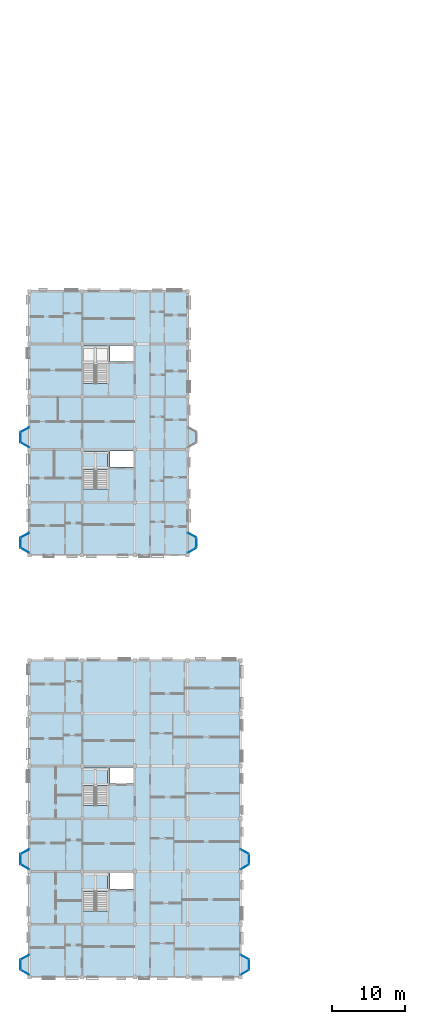
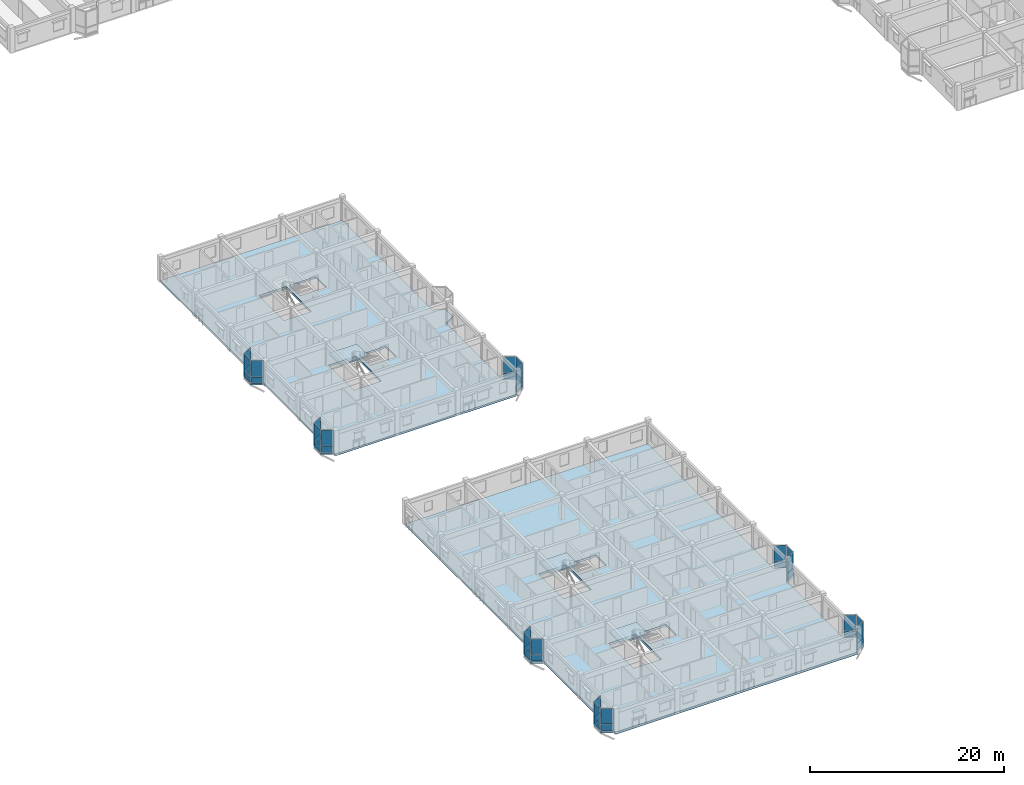
# One storey, part 46 of 79: 42 plates, 5 slabs, 24 elements without a shape of their own.
"""IFC4 building model written with IfcOpenShell, lengths in metres."""

from ifc_helpers import new_model, si_unit, direction, frame, origin, origin_2d, place, context, subcontext, project, spatial, polyline, rectangle, outline, extrude, material, layer, layer_set, type_object, element, aggregate, save


model = new_model("IFC4")

# Units and contexts
model_context = context("Model", 3, precision=1e-05, world=origin(), true_north=direction((0.0, 1.0)))
body_context = subcontext(model_context, "Body", "Model", "MODEL_VIEW")
ifc_project = project(units=[si_unit("LENGTHUNIT", "METRE"), si_unit("AREAUNIT", "SQUARE_METRE"), si_unit("VOLUMEUNIT", "CUBIC_METRE"), si_unit("PLANEANGLEUNIT", "RADIAN"), si_unit("MASSUNIT", "GRAM", prefix="KILO"), si_unit("THERMODYNAMICTEMPERATUREUNIT", "KELVIN"), si_unit("POWERUNIT", "WATT")], contexts=[model_context])

# Site, building, storey
site_placement = place(None, origin())
site = spatial("IfcSite", under=ifc_project, at=site_placement, CompositionType="ELEMENT")
building_placement = place(site_placement, origin())
building = spatial("IfcBuilding", under=site, at=building_placement, Name="Tavuni Mirador Residences", CompositionType="ELEMENT")
storey_placement = place(building_placement, frame((0.0, 0.0, 13.949951171875)))
storey = spatial("IfcBuildingStorey", under=building, at=storey_placement, Name="L04", CompositionType="ELEMENT", Elevation=13.949951171875)

# Curtain wall, plate
ifc_material_1 = material(Name="Anodised aluminium", Category="aluminium")
ifc_layer_1 = layer(ifc_material_1, 0.1650390625, Name="Anodised aluminium", Category="aluminium")
ifc_layer_set_1 = layer_set([ifc_layer_1], Name="Anodised aluminium")
curtain_wall_type_1 = type_object("IfcCurtainWallType", Name="CWT-MIR-A", PredefinedType="NOTDEFINED", material=ifc_layer_set_1)
curtain_wall_1_placement = place(storey_placement, origin())
curtain_wall_1 = element("IfcCurtainWall", 1, at=curtain_wall_1_placement, inside=storey, type_object=curtain_wall_type_1, Name="CW-MIR-A-E2-L04-M1", PredefinedType="NOTDEFINED")
ifc_material_2 = material(Name="Laminated solar-control glass", Category="glass")
ifc_layer_2 = layer(ifc_material_2, 0.02392578125, Name="Laminated solar-control glass", Category="glass")
ifc_layer_set_2 = layer_set([ifc_layer_2], Name="Laminated solar-control glass")
plate_type_1 = type_object("IfcPlateType", Name="CWP-GL24", PredefinedType="CURTAIN_PANEL", material=ifc_layer_set_2)
plate_1_placement = place(storey_placement, frame((33.0, 22.217529296875, 0.8798828125), z_axis=(0.0, 0.0, 1.0), x_axis=(0.868465738194, 0.495749192217, 0.0)))
plate_1 = element("IfcPlate", 2, at=plate_1_placement, type_object=plate_type_1, Name="CW-01 panel 1.2", PredefinedType="CURTAIN_PANEL", context=body_context, shape_type="SweptSolid", body=[
    extrude(rectangle(XDim=1.26171875, YDim=0.02392578125, at=origin_2d()), origin(), (0.0, 0.0, 1.0), 1.929931640625),
])

curtain_wall_2_placement = place(storey_placement, origin())
curtain_wall_2 = element("IfcCurtainWall", 3, at=curtain_wall_2_placement, inside=storey, type_object=curtain_wall_type_1, Name="CW-MIR-A-W2-L04-MF", PredefinedType="NOTDEFINED")
plate_2_placement = place(storey_placement, frame((2.39990234375, 23.27001953125, 0.8798828125), z_axis=(0.0, 0.0, 1.0), x_axis=(0.0, -1.0, 0.0)))
plate_2 = element("IfcPlate", 4, at=plate_2_placement, type_object=plate_type_1, Name="CW-01 panel 1.2", PredefinedType="CURTAIN_PANEL", context=body_context, shape_type="SweptSolid", body=[
    extrude(rectangle(XDim=1.300048828125, YDim=0.02392578125, at=origin_2d()), origin(), (0.0, 0.0, 1.0), 1.929931640625),
])

curtain_wall_3_placement = place(storey_placement, origin())
curtain_wall_3 = element("IfcCurtainWall", 5, at=curtain_wall_3_placement, inside=storey, type_object=curtain_wall_type_1, Name="CW-MIR-A-W1-L04-M2", PredefinedType="NOTDEFINED")
plate_3_placement = place(storey_placement, frame((3.0, 7.8173828125, 0.8798828125), z_axis=(0.0, 0.0, 1.0), x_axis=(0.868465738194, -0.495749192217, 0.0)))
plate_3 = element("IfcPlate", 6, at=plate_3_placement, type_object=plate_type_1, Name="CW-01 panel 1.2", PredefinedType="CURTAIN_PANEL", context=body_context, shape_type="SweptSolid", body=[
    extrude(rectangle(XDim=1.26171875, YDim=0.02392578125, at=origin_2d()), origin(), (0.0, 0.0, 1.0), 1.929931640625),
])

curtain_wall_4_placement = place(storey_placement, origin())
curtain_wall_4 = element("IfcCurtainWall", 7, at=curtain_wall_4_placement, inside=storey, type_object=curtain_wall_type_1, Name="CW-MIR-B-E1-L04-M1", PredefinedType="NOTDEFINED")
plate_4_placement = place(storey_placement, frame((25.800048828125, 65.41748046875, 0.8798828125), z_axis=(0.0, 0.0, 1.0), x_axis=(0.868465738194, 0.495749192217, 0.0)))
plate_4 = element("IfcPlate", 8, at=plate_4_placement, type_object=plate_type_1, Name="CW-01 panel 1.2", PredefinedType="CURTAIN_PANEL", context=body_context, shape_type="SweptSolid", body=[
    extrude(rectangle(XDim=1.26171875, YDim=0.02392578125, at=origin_2d()), origin(), (0.0, 0.0, 1.0), 1.969970703125),
])

curtain_wall_5_placement = place(storey_placement, origin())
curtain_wall_5 = element("IfcCurtainWall", 9, at=curtain_wall_5_placement, inside=storey, type_object=curtain_wall_type_1, Name="CW-MIR-B-W2-L04-M2", PredefinedType="NOTDEFINED")
plate_5_placement = place(storey_placement, frame((3.0, 79.8173828125, 0.8798828125), z_axis=(0.0, 0.0, 1.0), x_axis=(0.868465738194, -0.495749192217, 0.0)))
plate_5 = element("IfcPlate", 10, at=plate_5_placement, type_object=plate_type_1, Name="CW-01 panel 1.2", PredefinedType="CURTAIN_PANEL", context=body_context, shape_type="SweptSolid", body=[
    extrude(rectangle(XDim=1.26171875, YDim=0.02392578125, at=origin_2d()), origin(), (0.0, 0.0, 1.0), 1.969970703125),
])

ifc_layer_3 = layer(ifc_material_1, 0.14990234375, Name="Anodised aluminium", Category="aluminium")
ifc_layer_set_3 = layer_set([ifc_layer_3], Name="Anodised aluminium")
curtain_wall_type_2 = type_object("IfcCurtainWallType", Name="CWT-MIR-B", PredefinedType="NOTDEFINED", material=ifc_layer_set_3)
curtain_wall_6_placement = place(storey_placement, origin())
curtain_wall_6 = element("IfcCurtainWall", 11, at=curtain_wall_6_placement, inside=storey, type_object=curtain_wall_type_2, Name="CW-MIR-A-E1-L04-M1", PredefinedType="NOTDEFINED")
ifc_layer_4 = layer(ifc_material_2, 0.028076171875, Name="Laminated solar-control glass", Category="glass")
ifc_layer_set_4 = layer_set([ifc_layer_4], Name="Laminated solar-control glass")
plate_type_2 = type_object("IfcPlateType", Name="CWP-GL28", PredefinedType="CURTAIN_PANEL", material=ifc_layer_set_4)
plate_6_placement = place(storey_placement, frame((33.0, 7.8173828125, 0.88232421875), z_axis=(0.0, 0.0, 1.0), x_axis=(0.868465738194, 0.495749192217, 0.0)))
plate_6 = element("IfcPlate", 12, at=plate_6_placement, type_object=plate_type_2, Name="CW-02 panel 1.2", PredefinedType="CURTAIN_PANEL", context=body_context, shape_type="SweptSolid", body=[
    extrude(rectangle(XDim=1.251708984375, YDim=0.028076171875, at=origin_2d()), origin(), (0.0, 0.0, 1.0), 1.922607421875),
])

curtain_wall_7_placement = place(storey_placement, origin())
curtain_wall_7 = element("IfcCurtainWall", 13, at=curtain_wall_7_placement, inside=storey, type_object=curtain_wall_type_2, Name="CW-MIR-A-E2-L04-MF", PredefinedType="NOTDEFINED")
plate_7_placement = place(storey_placement, frame((33.60009765625, 23.27001953125, 0.88232421875), z_axis=(0.0, 0.0, 1.0), x_axis=(0.0, 1.0, 0.0)))
plate_7 = element("IfcPlate", 14, at=plate_7_placement, type_object=plate_type_2, Name="CW-02 panel 1.2", PredefinedType="CURTAIN_PANEL", context=body_context, shape_type="SweptSolid", body=[
    extrude(rectangle(XDim=1.2900390625, YDim=0.028076171875, at=origin_2d()), origin(), (0.0, 0.0, 1.0), 1.922607421875),
])

curtain_wall_8_placement = place(storey_placement, origin())
curtain_wall_8 = element("IfcCurtainWall", 15, at=curtain_wall_8_placement, inside=storey, type_object=curtain_wall_type_2, Name="CW-MIR-A-W2-L04-M2", PredefinedType="NOTDEFINED")
plate_8_placement = place(storey_placement, frame((3.0, 22.217529296875, 0.88232421875), z_axis=(0.0, 0.0, 1.0), x_axis=(0.868465738194, -0.495749192217, 0.0)))
plate_8 = element("IfcPlate", 16, at=plate_8_placement, type_object=plate_type_2, Name="CW-02 panel 1.2", PredefinedType="CURTAIN_PANEL", context=body_context, shape_type="SweptSolid", body=[
    extrude(rectangle(XDim=1.251708984375, YDim=0.028076171875, at=origin_2d()), origin(), (0.0, 0.0, 1.0), 1.922607421875),
])

curtain_wall_9_placement = place(storey_placement, origin())
curtain_wall_9 = element("IfcCurtainWall", 17, at=curtain_wall_9_placement, inside=storey, type_object=curtain_wall_type_2, Name="CW-MIR-B-E1-L04-MF", PredefinedType="NOTDEFINED")
plate_9_placement = place(storey_placement, frame((26.39990234375, 66.469970703125, 0.882568359375), z_axis=(0.0, 0.0, 1.0), x_axis=(0.0, 1.0, 0.0)))
plate_9 = element("IfcPlate", 18, at=plate_9_placement, type_object=plate_type_2, Name="CW-02 panel 1.2", PredefinedType="CURTAIN_PANEL", context=body_context, shape_type="SweptSolid", body=[
    extrude(rectangle(XDim=1.2900390625, YDim=0.028076171875, at=origin_2d()), origin(), (0.0, 0.0, 1.0), 1.96240234375),
])

curtain_wall_10_placement = place(storey_placement, origin())
curtain_wall_10 = element("IfcCurtainWall", 19, at=curtain_wall_10_placement, inside=storey, type_object=curtain_wall_type_2, Name="CW-MIR-B-W1-L04-M1", PredefinedType="NOTDEFINED")
plate_10_placement = place(storey_placement, frame((3.0, 67.5, 0.882568359375), z_axis=(0.0, 0.0, 1.0), x_axis=(-0.882352941175, -0.470588235296, 0.0)))
plate_10 = element("IfcPlate", 20, at=plate_10_placement, type_object=plate_type_2, Name="CW-02 panel 1.2", PredefinedType="CURTAIN_PANEL", context=body_context, shape_type="SweptSolid", body=[
    extrude(rectangle(XDim=1.22998046875, YDim=0.028076171875, at=origin_2d()), origin(), (0.0, 0.0, 1.0), 1.96240234375),
])

ifc_layer_5 = layer(ifc_material_1, 0.175048828125, Name="Anodised aluminium", Category="aluminium")
ifc_layer_set_5 = layer_set([ifc_layer_5], Name="Anodised aluminium")
curtain_wall_type_3 = type_object("IfcCurtainWallType", Name="CWT-MIR-C", PredefinedType="NOTDEFINED", material=ifc_layer_set_5)
curtain_wall_11_placement = place(storey_placement, origin())
curtain_wall_11 = element("IfcCurtainWall", 21, at=curtain_wall_11_placement, inside=storey, type_object=curtain_wall_type_3, Name="CW-MIR-A-E1-L04-MF", PredefinedType="NOTDEFINED")
ifc_layer_6 = layer(ifc_material_2, 0.031982421875, Name="Laminated solar-control glass", Category="glass")
ifc_layer_set_6 = layer_set([ifc_layer_6], Name="Laminated solar-control glass")
plate_type_3 = type_object("IfcPlateType", Name="CWP-GL32", PredefinedType="CURTAIN_PANEL", material=ifc_layer_set_6)
plate_11_placement = place(storey_placement, frame((33.60009765625, 8.8701171875, 0.8798828125), z_axis=(0.0, 0.0, 1.0), x_axis=(0.0, 1.0, 0.0)))
plate_11 = element("IfcPlate", 22, at=plate_11_placement, type_object=plate_type_3, Name="CW-03 panel 1.2", PredefinedType="CURTAIN_PANEL", context=body_context, shape_type="SweptSolid", body=[
    extrude(rectangle(XDim=1.300048828125, YDim=0.031982421875, at=origin_2d()), origin(), (0.0, 0.0, 1.0), 1.929931640625),
])

curtain_wall_12_placement = place(storey_placement, origin())
curtain_wall_12 = element("IfcCurtainWall", 23, at=curtain_wall_12_placement, inside=storey, type_object=curtain_wall_type_3, Name="CW-MIR-A-E2-L04-M2", PredefinedType="NOTDEFINED")
plate_12_placement = place(storey_placement, frame((33.0, 24.300048828125, 0.8798828125), z_axis=(0.0, 0.0, 1.0), x_axis=(-0.882352941175, 0.470588235296, 0.0)))
plate_12 = element("IfcPlate", 24, at=plate_12_placement, type_object=plate_type_3, Name="CW-03 panel 1.2", PredefinedType="CURTAIN_PANEL", context=body_context, shape_type="SweptSolid", body=[
    extrude(rectangle(XDim=1.239990234375, YDim=0.031982421875, at=origin_2d()), origin(), (0.0, 0.0, 1.0), 1.929931640625),
])

curtain_wall_13_placement = place(storey_placement, origin())
curtain_wall_13 = element("IfcCurtainWall", 25, at=curtain_wall_13_placement, inside=storey, type_object=curtain_wall_type_3, Name="CW-MIR-A-W1-L04-M1", PredefinedType="NOTDEFINED")
plate_13_placement = place(storey_placement, frame((3.0, 9.89990234375, 0.8798828125), z_axis=(0.0, 0.0, 1.0), x_axis=(-0.882352941175, -0.470588235296, 0.0)))
plate_13 = element("IfcPlate", 26, at=plate_13_placement, type_object=plate_type_3, Name="CW-03 panel 1.2", PredefinedType="CURTAIN_PANEL", context=body_context, shape_type="SweptSolid", body=[
    extrude(rectangle(XDim=1.239990234375, YDim=0.031982421875, at=origin_2d()), origin(), (0.0, 0.0, 1.0), 1.929931640625),
])

curtain_wall_14_placement = place(storey_placement, origin())
curtain_wall_14 = element("IfcCurtainWall", 27, at=curtain_wall_14_placement, inside=storey, type_object=curtain_wall_type_3, Name="CW-MIR-B-E1-L04-M2", PredefinedType="NOTDEFINED")
plate_14_placement = place(storey_placement, frame((25.800048828125, 67.5, 0.8798828125), z_axis=(0.0, 0.0, 1.0), x_axis=(-0.882352941175, 0.470588235296, 0.0)))
plate_14 = element("IfcPlate", 28, at=plate_14_placement, type_object=plate_type_3, Name="CW-03 panel 1.2", PredefinedType="CURTAIN_PANEL", context=body_context, shape_type="SweptSolid", body=[
    extrude(rectangle(XDim=1.239990234375, YDim=0.031982421875, at=origin_2d()), origin(), (0.0, 0.0, 1.0), 1.969970703125),
])

curtain_wall_15_placement = place(storey_placement, origin())
curtain_wall_15 = element("IfcCurtainWall", 29, at=curtain_wall_15_placement, inside=storey, type_object=curtain_wall_type_3, Name="CW-MIR-B-W2-L04-M1", PredefinedType="NOTDEFINED")
plate_15_placement = place(storey_placement, frame((3.0, 81.89990234375, 0.8798828125), z_axis=(0.0, 0.0, 1.0), x_axis=(-0.882352941175, -0.470588235296, 0.0)))
plate_15 = element("IfcPlate", 30, at=plate_15_placement, type_object=plate_type_3, Name="CW-03 panel 1.2", PredefinedType="CURTAIN_PANEL", context=body_context, shape_type="SweptSolid", body=[
    extrude(rectangle(XDim=1.239990234375, YDim=0.031982421875, at=origin_2d()), origin(), (0.0, 0.0, 1.0), 1.969970703125),
])

curtain_wall_16_placement = place(storey_placement, origin())
curtain_wall_16 = element("IfcCurtainWall", 31, at=curtain_wall_16_placement, inside=storey, type_object=curtain_wall_type_3, Name="CW-MIR-B-W1-L04-MF", PredefinedType="NOTDEFINED")
plate_16_placement = place(storey_placement, frame((2.39990234375, 66.469970703125, 0.8798828125), z_axis=(0.0, 0.0, 1.0), x_axis=(0.0, -1.0, 0.0)))
plate_16 = element("IfcPlate", 32, at=plate_16_placement, type_object=plate_type_3, Name="CW-03 panel 1.2", PredefinedType="CURTAIN_PANEL", context=body_context, shape_type="SweptSolid", body=[
    extrude(rectangle(XDim=1.300048828125, YDim=0.031982421875, at=origin_2d()), origin(), (0.0, 0.0, 1.0), 1.969970703125),
])

ifc_layer_7 = layer(ifc_material_1, 0.159912109375, Name="Anodised aluminium", Category="aluminium")
ifc_layer_set_7 = layer_set([ifc_layer_7], Name="Anodised aluminium")
curtain_wall_type_4 = type_object("IfcCurtainWallType", Name="CWT-MIR-D", PredefinedType="NOTDEFINED", material=ifc_layer_set_7)
curtain_wall_17_placement = place(storey_placement, origin())
curtain_wall_17 = element("IfcCurtainWall", 33, at=curtain_wall_17_placement, inside=storey, type_object=curtain_wall_type_4, Name="CW-MIR-A-E1-L04-M2", PredefinedType="NOTDEFINED")
ifc_layer_8 = layer(ifc_material_2, 0.035888671875, Name="Laminated solar-control glass", Category="glass")
ifc_layer_set_8 = layer_set([ifc_layer_8], Name="Laminated solar-control glass")
plate_type_4 = type_object("IfcPlateType", Name="CWP-GL36", PredefinedType="CURTAIN_PANEL", material=ifc_layer_set_8)
plate_17_placement = place(storey_placement, frame((33.0, 9.89990234375, 0.88232421875), z_axis=(0.0, 0.0, 1.0), x_axis=(-0.882352941175, 0.470588235296, 0.0)))
plate_17 = element("IfcPlate", 34, at=plate_17_placement, type_object=plate_type_4, Name="CW-04 panel 1.2", PredefinedType="CURTAIN_PANEL", context=body_context, shape_type="SweptSolid", body=[
    extrude(rectangle(XDim=1.22998046875, YDim=0.035888671875, at=origin_2d()), origin(), (0.0, 0.0, 1.0), 1.922607421875),
])

curtain_wall_18_placement = place(storey_placement, origin())
curtain_wall_18 = element("IfcCurtainWall", 35, at=curtain_wall_18_placement, inside=storey, type_object=curtain_wall_type_4, Name="CW-MIR-A-W2-L04-M1", PredefinedType="NOTDEFINED")
plate_18_placement = place(storey_placement, frame((3.0, 24.300048828125, 0.88232421875), z_axis=(0.0, 0.0, 1.0), x_axis=(-0.882352941175, -0.470588235296, 0.0)))
plate_18 = element("IfcPlate", 36, at=plate_18_placement, type_object=plate_type_4, Name="CW-04 panel 1.2", PredefinedType="CURTAIN_PANEL", context=body_context, shape_type="SweptSolid", body=[
    extrude(rectangle(XDim=1.22998046875, YDim=0.035888671875, at=origin_2d()), origin(), (0.0, 0.0, 1.0), 1.922607421875),
])

curtain_wall_19_placement = place(storey_placement, origin())
curtain_wall_19 = element("IfcCurtainWall", 37, at=curtain_wall_19_placement, inside=storey, type_object=curtain_wall_type_4, Name="CW-MIR-A-W1-L04-MF", PredefinedType="NOTDEFINED")
plate_19_placement = place(storey_placement, frame((2.39990234375, 8.8701171875, 0.88232421875), z_axis=(0.0, 0.0, 1.0), x_axis=(0.0, -1.0, 0.0)))
plate_19 = element("IfcPlate", 38, at=plate_19_placement, type_object=plate_type_4, Name="CW-04 panel 1.2", PredefinedType="CURTAIN_PANEL", context=body_context, shape_type="SweptSolid", body=[
    extrude(rectangle(XDim=1.2900390625, YDim=0.035888671875, at=origin_2d()), origin(), (0.0, 0.0, 1.0), 1.922607421875),
])

curtain_wall_20_placement = place(storey_placement, origin())
curtain_wall_20 = element("IfcCurtainWall", 39, at=curtain_wall_20_placement, inside=storey, type_object=curtain_wall_type_4, Name="CW-MIR-B-W2-L04-MF", PredefinedType="NOTDEFINED")
plate_20_placement = place(storey_placement, frame((2.39990234375, 80.8701171875, 0.882568359375), z_axis=(0.0, 0.0, 1.0), x_axis=(0.0, -1.0, 0.0)))
plate_20 = element("IfcPlate", 40, at=plate_20_placement, type_object=plate_type_4, Name="CW-04 panel 1.2", PredefinedType="CURTAIN_PANEL", context=body_context, shape_type="SweptSolid", body=[
    extrude(rectangle(XDim=1.2900390625, YDim=0.035888671875, at=origin_2d()), origin(), (0.0, 0.0, 1.0), 1.96240234375),
])

curtain_wall_21_placement = place(storey_placement, origin())
curtain_wall_21 = element("IfcCurtainWall", 41, at=curtain_wall_21_placement, inside=storey, type_object=curtain_wall_type_4, Name="CW-MIR-B-W1-L04-M2", PredefinedType="NOTDEFINED")
plate_21_placement = place(storey_placement, frame((3.0, 65.41748046875, 0.882568359375), z_axis=(0.0, 0.0, 1.0), x_axis=(0.868465738194, -0.495749192217, 0.0)))
plate_21 = element("IfcPlate", 42, at=plate_21_placement, type_object=plate_type_4, Name="CW-04 panel 1.2", PredefinedType="CURTAIN_PANEL", context=body_context, shape_type="SweptSolid", body=[
    extrude(rectangle(XDim=1.251708984375, YDim=0.035888671875, at=origin_2d()), origin(), (0.0, 0.0, 1.0), 1.96240234375),
])

# Plate
ifc_material_3 = material(Name="Ceramic trencadis mosaic panel", Category="masonry")
ifc_layer_9 = layer(ifc_material_3, 0.0419921875, Name="Ceramic trencadis mosaic panel", Category="masonry")
ifc_layer_set_9 = layer_set([ifc_layer_9], Name="Ceramic trencadis mosaic panel")
plate_type_5 = type_object("IfcPlateType", Name="CWP-SP42", PredefinedType="CURTAIN_PANEL", material=ifc_layer_set_9)
plate_22_placement = place(storey_placement, frame((33.60009765625, 8.8701171875, 0.06005859375), z_axis=(0.0, 0.0, 1.0), x_axis=(0.0, 1.0, 0.0)))
plate_22 = element("IfcPlate", 43, at=plate_22_placement, type_object=plate_type_5, Name="CW-03 panel 1.1", PredefinedType="CURTAIN_PANEL", context=body_context, shape_type="SweptSolid", body=[
    extrude(rectangle(XDim=1.300048828125, YDim=0.0419921875, at=origin_2d()), origin(), (0.0, 0.0, 1.0), 0.760009765625),
])

aggregate(curtain_wall_11, [plate_22, plate_11])

plate_23_placement = place(storey_placement, frame((33.0, 22.217529296875, 0.06005859375), z_axis=(0.0, 0.0, 1.0), x_axis=(0.868465738194, 0.495749192217, 0.0)))
plate_23 = element("IfcPlate", 44, at=plate_23_placement, type_object=plate_type_5, Name="CW-01 panel 1.1", PredefinedType="CURTAIN_PANEL", context=body_context, shape_type="SweptSolid", body=[
    extrude(rectangle(XDim=1.26171875, YDim=0.0419921875, at=origin_2d()), origin(), (0.0, 0.0, 1.0), 0.760009765625),
])

aggregate(curtain_wall_1, [plate_23, plate_1])

plate_24_placement = place(storey_placement, frame((33.0, 24.300048828125, 0.06005859375), z_axis=(0.0, 0.0, 1.0), x_axis=(-0.882352941175, 0.470588235296, 0.0)))
plate_24 = element("IfcPlate", 45, at=plate_24_placement, type_object=plate_type_5, Name="CW-03 panel 1.1", PredefinedType="CURTAIN_PANEL", context=body_context, shape_type="SweptSolid", body=[
    extrude(rectangle(XDim=1.239990234375, YDim=0.0419921875, at=origin_2d()), origin(), (0.0, 0.0, 1.0), 0.760009765625),
])

aggregate(curtain_wall_12, [plate_24, plate_12])

plate_25_placement = place(storey_placement, frame((2.39990234375, 23.27001953125, 0.06005859375), z_axis=(0.0, 0.0, 1.0), x_axis=(0.0, -1.0, 0.0)))
plate_25 = element("IfcPlate", 46, at=plate_25_placement, type_object=plate_type_5, Name="CW-01 panel 1.1", PredefinedType="CURTAIN_PANEL", context=body_context, shape_type="SweptSolid", body=[
    extrude(rectangle(XDim=1.300048828125, YDim=0.0419921875, at=origin_2d()), origin(), (0.0, 0.0, 1.0), 0.760009765625),
])

aggregate(curtain_wall_2, [plate_25, plate_2])

plate_26_placement = place(storey_placement, frame((3.0, 9.89990234375, 0.06005859375), z_axis=(0.0, 0.0, 1.0), x_axis=(-0.882352941175, -0.470588235296, 0.0)))
plate_26 = element("IfcPlate", 47, at=plate_26_placement, type_object=plate_type_5, Name="CW-03 panel 1.1", PredefinedType="CURTAIN_PANEL", context=body_context, shape_type="SweptSolid", body=[
    extrude(rectangle(XDim=1.239990234375, YDim=0.0419921875, at=origin_2d()), origin(), (0.0, 0.0, 1.0), 0.760009765625),
])

aggregate(curtain_wall_13, [plate_26, plate_13])

plate_27_placement = place(storey_placement, frame((3.0, 7.8173828125, 0.06005859375), z_axis=(0.0, 0.0, 1.0), x_axis=(0.868465738194, -0.495749192217, 0.0)))
plate_27 = element("IfcPlate", 48, at=plate_27_placement, type_object=plate_type_5, Name="CW-01 panel 1.1", PredefinedType="CURTAIN_PANEL", context=body_context, shape_type="SweptSolid", body=[
    extrude(rectangle(XDim=1.26171875, YDim=0.0419921875, at=origin_2d()), origin(), (0.0, 0.0, 1.0), 0.760009765625),
])

aggregate(curtain_wall_3, [plate_27, plate_3])

plate_28_placement = place(storey_placement, frame((25.800048828125, 65.41748046875, 0.06005859375), z_axis=(0.0, 0.0, 1.0), x_axis=(0.868465738194, 0.495749192217, 0.0)))
plate_28 = element("IfcPlate", 49, at=plate_28_placement, type_object=plate_type_5, Name="CW-01 panel 1.1", PredefinedType="CURTAIN_PANEL", context=body_context, shape_type="SweptSolid", body=[
    extrude(rectangle(XDim=1.26171875, YDim=0.0419921875, at=origin_2d()), origin(), (0.0, 0.0, 1.0), 0.760009765625),
])

aggregate(curtain_wall_4, [plate_28, plate_4])

plate_29_placement = place(storey_placement, frame((25.800048828125, 67.5, 0.06005859375), z_axis=(0.0, 0.0, 1.0), x_axis=(-0.882352941175, 0.470588235296, 0.0)))
plate_29 = element("IfcPlate", 50, at=plate_29_placement, type_object=plate_type_5, Name="CW-03 panel 1.1", PredefinedType="CURTAIN_PANEL", context=body_context, shape_type="SweptSolid", body=[
    extrude(rectangle(XDim=1.239990234375, YDim=0.0419921875, at=origin_2d()), origin(), (0.0, 0.0, 1.0), 0.760009765625),
])

aggregate(curtain_wall_14, [plate_29, plate_14])

plate_30_placement = place(storey_placement, frame((3.0, 81.89990234375, 0.06005859375), z_axis=(0.0, 0.0, 1.0), x_axis=(-0.882352941175, -0.470588235296, 0.0)))
plate_30 = element("IfcPlate", 51, at=plate_30_placement, type_object=plate_type_5, Name="CW-03 panel 1.1", PredefinedType="CURTAIN_PANEL", context=body_context, shape_type="SweptSolid", body=[
    extrude(rectangle(XDim=1.239990234375, YDim=0.0419921875, at=origin_2d()), origin(), (0.0, 0.0, 1.0), 0.760009765625),
])

aggregate(curtain_wall_15, [plate_30, plate_15])

plate_31_placement = place(storey_placement, frame((3.0, 79.8173828125, 0.06005859375), z_axis=(0.0, 0.0, 1.0), x_axis=(0.868465738194, -0.495749192217, 0.0)))
plate_31 = element("IfcPlate", 52, at=plate_31_placement, type_object=plate_type_5, Name="CW-01 panel 1.1", PredefinedType="CURTAIN_PANEL", context=body_context, shape_type="SweptSolid", body=[
    extrude(rectangle(XDim=1.26171875, YDim=0.0419921875, at=origin_2d()), origin(), (0.0, 0.0, 1.0), 0.760009765625),
])

aggregate(curtain_wall_5, [plate_31, plate_5])

plate_32_placement = place(storey_placement, frame((2.39990234375, 66.469970703125, 0.06005859375), z_axis=(0.0, 0.0, 1.0), x_axis=(0.0, -1.0, 0.0)))
plate_32 = element("IfcPlate", 53, at=plate_32_placement, type_object=plate_type_5, Name="CW-03 panel 1.1", PredefinedType="CURTAIN_PANEL", context=body_context, shape_type="SweptSolid", body=[
    extrude(rectangle(XDim=1.300048828125, YDim=0.0419921875, at=origin_2d()), origin(), (0.0, 0.0, 1.0), 0.760009765625),
])

aggregate(curtain_wall_16, [plate_32, plate_16])

ifc_layer_10 = layer(ifc_material_3, 0.048095703125, Name="Ceramic trencadis mosaic panel", Category="masonry")
ifc_layer_set_10 = layer_set([ifc_layer_10], Name="Ceramic trencadis mosaic panel")
plate_type_6 = type_object("IfcPlateType", Name="CWP-SP48", PredefinedType="CURTAIN_PANEL", material=ifc_layer_set_10)
plate_33_placement = place(storey_placement, frame((33.0, 7.8173828125, 0.065185546875), z_axis=(0.0, 0.0, 1.0), x_axis=(0.868465738194, 0.495749192217, 0.0)))
plate_33 = element("IfcPlate", 54, at=plate_33_placement, type_object=plate_type_6, Name="CW-02 panel 1.1", PredefinedType="CURTAIN_PANEL", context=body_context, shape_type="SweptSolid", body=[
    extrude(rectangle(XDim=1.251708984375, YDim=0.048095703125, at=origin_2d()), origin(), (0.0, 0.0, 1.0), 0.75244140625),
])

aggregate(curtain_wall_6, [plate_33, plate_6])

plate_34_placement = place(storey_placement, frame((33.0, 9.89990234375, 0.065185546875), z_axis=(0.0, 0.0, 1.0), x_axis=(-0.882352941175, 0.470588235296, 0.0)))
plate_34 = element("IfcPlate", 55, at=plate_34_placement, type_object=plate_type_6, Name="CW-04 panel 1.1", PredefinedType="CURTAIN_PANEL", context=body_context, shape_type="SweptSolid", body=[
    extrude(rectangle(XDim=1.22998046875, YDim=0.048095703125, at=origin_2d()), origin(), (0.0, 0.0, 1.0), 0.75244140625),
])

aggregate(curtain_wall_17, [plate_34, plate_17])

plate_35_placement = place(storey_placement, frame((33.60009765625, 23.27001953125, 0.065185546875), z_axis=(0.0, 0.0, 1.0), x_axis=(0.0, 1.0, 0.0)))
plate_35 = element("IfcPlate", 56, at=plate_35_placement, type_object=plate_type_6, Name="CW-02 panel 1.1", PredefinedType="CURTAIN_PANEL", context=body_context, shape_type="SweptSolid", body=[
    extrude(rectangle(XDim=1.2900390625, YDim=0.048095703125, at=origin_2d()), origin(), (0.0, 0.0, 1.0), 0.75244140625),
])

aggregate(curtain_wall_7, [plate_35, plate_7])

plate_36_placement = place(storey_placement, frame((3.0, 24.300048828125, 0.065185546875), z_axis=(0.0, 0.0, 1.0), x_axis=(-0.882352941175, -0.470588235296, 0.0)))
plate_36 = element("IfcPlate", 57, at=plate_36_placement, type_object=plate_type_6, Name="CW-04 panel 1.1", PredefinedType="CURTAIN_PANEL", context=body_context, shape_type="SweptSolid", body=[
    extrude(rectangle(XDim=1.22998046875, YDim=0.048095703125, at=origin_2d()), origin(), (0.0, 0.0, 1.0), 0.75244140625),
])

aggregate(curtain_wall_18, [plate_36, plate_18])

plate_37_placement = place(storey_placement, frame((3.0, 22.217529296875, 0.065185546875), z_axis=(0.0, 0.0, 1.0), x_axis=(0.868465738194, -0.495749192217, 0.0)))
plate_37 = element("IfcPlate", 58, at=plate_37_placement, type_object=plate_type_6, Name="CW-02 panel 1.1", PredefinedType="CURTAIN_PANEL", context=body_context, shape_type="SweptSolid", body=[
    extrude(rectangle(XDim=1.251708984375, YDim=0.048095703125, at=origin_2d()), origin(), (0.0, 0.0, 1.0), 0.75244140625),
])

aggregate(curtain_wall_8, [plate_37, plate_8])

plate_38_placement = place(storey_placement, frame((2.39990234375, 8.8701171875, 0.065185546875), z_axis=(0.0, 0.0, 1.0), x_axis=(0.0, -1.0, 0.0)))
plate_38 = element("IfcPlate", 59, at=plate_38_placement, type_object=plate_type_6, Name="CW-04 panel 1.1", PredefinedType="CURTAIN_PANEL", context=body_context, shape_type="SweptSolid", body=[
    extrude(rectangle(XDim=1.2900390625, YDim=0.048095703125, at=origin_2d()), origin(), (0.0, 0.0, 1.0), 0.75244140625),
])

aggregate(curtain_wall_19, [plate_38, plate_19])

plate_39_placement = place(storey_placement, frame((26.39990234375, 66.469970703125, 0.065185546875), z_axis=(0.0, 0.0, 1.0), x_axis=(0.0, 1.0, 0.0)))
plate_39 = element("IfcPlate", 60, at=plate_39_placement, type_object=plate_type_6, Name="CW-02 panel 1.1", PredefinedType="CURTAIN_PANEL", context=body_context, shape_type="SweptSolid", body=[
    extrude(rectangle(XDim=1.2900390625, YDim=0.048095703125, at=origin_2d()), origin(), (0.0, 0.0, 1.0), 0.75244140625),
])

aggregate(curtain_wall_9, [plate_39, plate_9])

plate_40_placement = place(storey_placement, frame((2.39990234375, 80.8701171875, 0.065185546875), z_axis=(0.0, 0.0, 1.0), x_axis=(0.0, -1.0, 0.0)))
plate_40 = element("IfcPlate", 61, at=plate_40_placement, type_object=plate_type_6, Name="CW-04 panel 1.1", PredefinedType="CURTAIN_PANEL", context=body_context, shape_type="SweptSolid", body=[
    extrude(rectangle(XDim=1.2900390625, YDim=0.048095703125, at=origin_2d()), origin(), (0.0, 0.0, 1.0), 0.75244140625),
])

aggregate(curtain_wall_20, [plate_40, plate_20])

plate_41_placement = place(storey_placement, frame((3.0, 67.5, 0.065185546875), z_axis=(0.0, 0.0, 1.0), x_axis=(-0.882352941175, -0.470588235296, 0.0)))
plate_41 = element("IfcPlate", 62, at=plate_41_placement, type_object=plate_type_6, Name="CW-02 panel 1.1", PredefinedType="CURTAIN_PANEL", context=body_context, shape_type="SweptSolid", body=[
    extrude(rectangle(XDim=1.22998046875, YDim=0.048095703125, at=origin_2d()), origin(), (0.0, 0.0, 1.0), 0.75244140625),
])

aggregate(curtain_wall_10, [plate_41, plate_10])

plate_42_placement = place(storey_placement, frame((3.0, 65.41748046875, 0.065185546875), z_axis=(0.0, 0.0, 1.0), x_axis=(0.868465738194, -0.495749192217, 0.0)))
plate_42 = element("IfcPlate", 63, at=plate_42_placement, type_object=plate_type_6, Name="CW-04 panel 1.1", PredefinedType="CURTAIN_PANEL", context=body_context, shape_type="SweptSolid", body=[
    extrude(rectangle(XDim=1.251708984375, YDim=0.048095703125, at=origin_2d()), origin(), (0.0, 0.0, 1.0), 0.75244140625),
])

aggregate(curtain_wall_21, [plate_42, plate_21])

# Slabs
ifc_material_4 = material(Name="Prestressed concrete C45/55", Category="concrete")
ifc_layer_11 = layer(ifc_material_4, 0.239990234375, Name="Prestressed concrete C45/55", Category="concrete")
ifc_layer_set_11 = layer_set([ifc_layer_11], Name="Prestressed concrete C45/55")
slab_type_1 = type_object("IfcSlabType", Name="SLT-FLR240", PredefinedType="FLOOR", material=ifc_layer_set_11)
slab_1_placement = place(storey_placement, frame((0.0, 0.0, -0.239990234375)))
element("IfcSlab", 64, at=slab_1_placement, inside=storey, type_object=slab_type_1, Name="SLB-BLK-B-L04", PredefinedType="FLOOR", context=body_context, shape_type="SweptSolid", body=[
    extrude(outline(polyline([(3.60009765625, 64.800048828125), (25.199951171875, 64.800048828125), (25.199951171875, 65.074951171875), (26.39990234375, 65.760009765625), (26.39990234375, 67.179931640625), (25.199951171875, 67.820068359375), (25.199951171875, 79.47509765625), (26.39990234375, 80.159912109375), (26.39990234375, 81.580078125), (25.199951171875, 82.219970703125), (25.199951171875, 100.800048828125), (3.60009765625, 100.800048828125), (3.60009765625, 82.219970703125), (2.39990234375, 81.580078125), (2.39990234375, 80.159912109375), (3.60009765625, 79.47509765625), (3.60009765625, 67.820068359375), (2.39990234375, 67.179931640625), (2.39990234375, 65.760009765625), (3.60009765625, 65.074951171875), (3.60009765625, 64.800048828125)]), holes=[polyline([(10.9599609375, 73.80810546875), (14.239990234375, 73.80810546875), (14.239990234375, 78.9599609375), (10.9599609375, 78.9599609375), (10.9599609375, 73.80810546875)]), polyline([(14.6201171875, 76.820068359375), (17.780029296875, 76.820068359375), (17.780029296875, 78.97998046875), (14.6201171875, 78.97998046875), (14.6201171875, 76.820068359375)]), polyline([(10.9599609375, 88.2080078125), (14.239990234375, 88.2080078125), (14.239990234375, 93.360107421875), (10.9599609375, 93.360107421875), (10.9599609375, 88.2080078125)]), polyline([(14.6201171875, 91.219970703125), (17.780029296875, 91.219970703125), (17.780029296875, 93.3798828125), (14.6201171875, 93.3798828125), (14.6201171875, 91.219970703125)])]), origin(), (0.0, 0.0, 1.0), 0.239990234375),
])
ifc_layer_12 = layer(ifc_material_4, 0.280029296875, Name="Prestressed concrete C45/55", Category="concrete")
ifc_layer_set_12 = layer_set([ifc_layer_12], Name="Prestressed concrete C45/55")
slab_type_2 = type_object("IfcSlabType", Name="SLT-FLR280", PredefinedType="FLOOR", material=ifc_layer_set_12)
slab_2_placement = place(storey_placement, frame((0.0, 0.0, -0.280029296875)))
element("IfcSlab", 65, at=slab_2_placement, inside=storey, type_object=slab_type_2, Name="SLB-BLK-A-L04", PredefinedType="FLOOR", context=body_context, shape_type="SweptSolid", body=[
    extrude(outline(polyline([(3.60009765625, 7.199951171875), (32.39990234375, 7.199951171875), (32.39990234375, 7.47509765625), (33.60009765625, 8.159912109375), (33.60009765625, 9.580078125), (32.39990234375, 10.219970703125), (32.39990234375, 21.875), (33.60009765625, 22.56005859375), (33.60009765625, 23.97998046875), (32.39990234375, 24.6201171875), (32.39990234375, 50.39990234375), (3.60009765625, 50.39990234375), (3.60009765625, 24.6201171875), (2.39990234375, 23.97998046875), (2.39990234375, 22.56005859375), (3.60009765625, 21.875), (3.60009765625, 10.219970703125), (2.39990234375, 9.580078125), (2.39990234375, 8.159912109375), (3.60009765625, 7.47509765625), (3.60009765625, 7.199951171875)]), holes=[polyline([(10.9599609375, 16.2080078125), (14.239990234375, 16.2080078125), (14.239990234375, 21.360107421875), (10.9599609375, 21.360107421875), (10.9599609375, 16.2080078125)]), polyline([(14.6201171875, 19.219970703125), (17.780029296875, 19.219970703125), (17.780029296875, 21.3798828125), (14.6201171875, 21.3798828125), (14.6201171875, 19.219970703125)]), polyline([(10.9599609375, 30.60791015625), (14.239990234375, 30.60791015625), (14.239990234375, 35.760009765625), (10.9599609375, 35.760009765625), (10.9599609375, 30.60791015625)]), polyline([(14.6201171875, 33.6201171875), (17.780029296875, 33.6201171875), (17.780029296875, 35.780029296875), (14.6201171875, 35.780029296875), (14.6201171875, 33.6201171875)])]), origin(), (0.0, 0.0, 1.0), 0.280029296875),
])

# Stair, slab
ifc_material_5 = material(Name="Precast concrete C40/50", Category="concrete")
stair_type = type_object("IfcStairType", Name="STT-TYP", PredefinedType="HALF_TURN_STAIR", material=ifc_material_5)
stair_1_placement = place(storey_placement, origin())
stair_1 = element("IfcStair", 66, at=stair_1_placement, inside=storey, type_object=stair_type, Name="Protected exit stair ST1 (L04)", PredefinedType="HALF_TURN_STAIR")
ifc_layer_13 = layer(ifc_material_5, 0.179931640625, Name="Precast concrete C40/50", Category="concrete")
ifc_layer_set_13 = layer_set([ifc_layer_13], Name="Precast concrete C40/50")
slab_type_3 = type_object("IfcSlabType", Name="SLT-LND180", PredefinedType="LANDING", material=ifc_layer_set_13)
slab_3_placement = place(storey_placement, frame((0.0, 0.0, 1.39501953125)))
slab_3 = element("IfcSlab", 67, at=slab_3_placement, type_object=slab_type_3, Name="ST1 landing 1", PredefinedType="LANDING", context=body_context, shape_type="SweptSolid", body=[
    extrude(outline(polyline([(10.93994140625, 18.89208984375), (14.260009765625, 18.89208984375), (14.260009765625, 21.300048828125), (10.93994140625, 21.300048828125), (10.93994140625, 18.89208984375)])), origin(), (0.0, 0.0, 1.0), 0.179931640625),
])
aggregate(stair_1, [slab_3])

stair_2_placement = place(storey_placement, origin())
stair_2 = element("IfcStair", 68, at=stair_2_placement, inside=storey, type_object=stair_type, Name="Protected exit stair ST2 (L04)", PredefinedType="HALF_TURN_STAIR")
slab_4_placement = place(storey_placement, frame((0.0, 0.0, 1.39501953125)))
slab_4 = element("IfcSlab", 69, at=slab_4_placement, type_object=slab_type_3, Name="ST2 landing 1", PredefinedType="LANDING", context=body_context, shape_type="SweptSolid", body=[
    extrude(outline(polyline([(10.93994140625, 33.2919921875), (14.260009765625, 33.2919921875), (14.260009765625, 35.699951171875), (10.93994140625, 35.699951171875), (10.93994140625, 33.2919921875)])), origin(), (0.0, 0.0, 1.0), 0.179931640625),
])
aggregate(stair_2, [slab_4])

stair_3_placement = place(storey_placement, origin())
stair_3 = element("IfcStair", 70, at=stair_3_placement, inside=storey, type_object=stair_type, Name="Protected exit stair ST3 (L04)", PredefinedType="HALF_TURN_STAIR")
slab_5_placement = place(storey_placement, frame((0.0, 0.0, 1.39501953125)))
slab_5 = element("IfcSlab", 71, at=slab_5_placement, type_object=slab_type_3, Name="ST3 landing 1", PredefinedType="LANDING", context=body_context, shape_type="SweptSolid", body=[
    extrude(outline(polyline([(10.93994140625, 76.491943359375), (14.260009765625, 76.491943359375), (14.260009765625, 78.89990234375), (10.93994140625, 78.89990234375), (10.93994140625, 76.491943359375)])), origin(), (0.0, 0.0, 1.0), 0.179931640625),
])
aggregate(stair_3, [slab_5])

save(model, "model.ifc")
